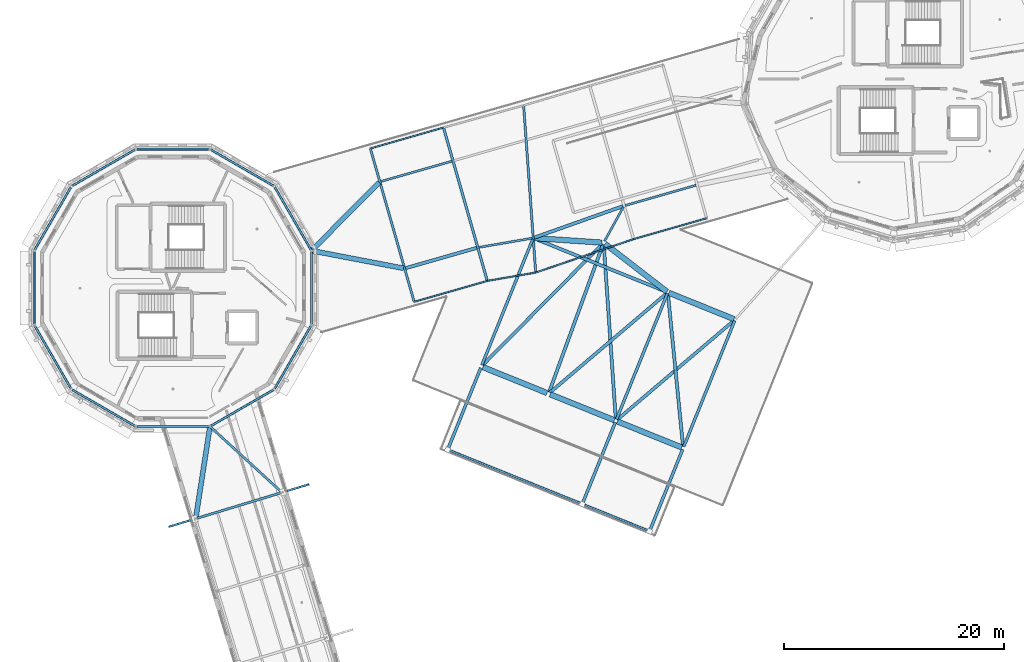
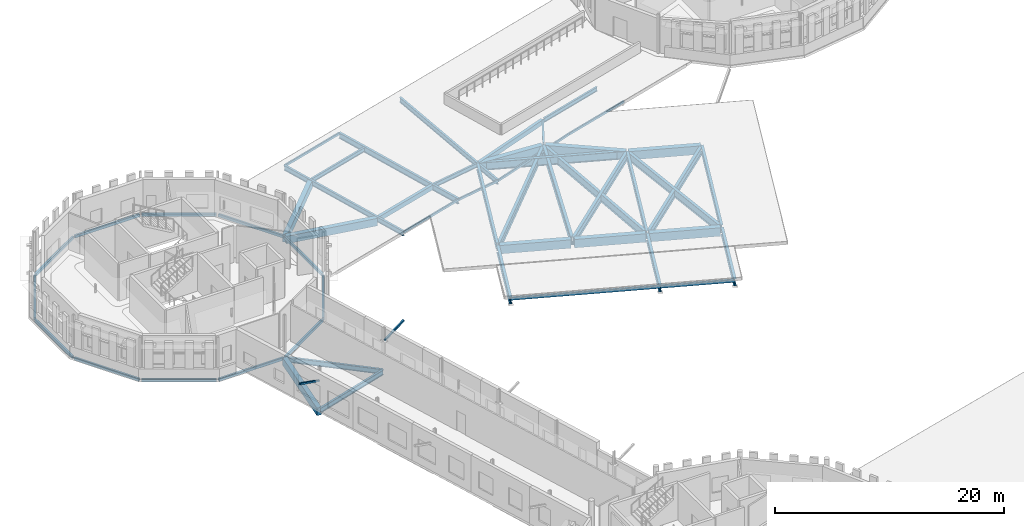
# One storey, part 26 of 90: 52 beams, 2 members.
"""IFC4 building model written with IfcOpenShell, lengths in metres."""

from ifc_helpers import new_model, si_unit, direction, frame, origin, origin_2d, place, context, subcontext, project, spatial, rectangle, hollow_rectangle, i_section, extrude, material, material_profile, profile_set, type_object, element, save


model = new_model("IFC4")

# Units and contexts
model_context = context("Model", 3, precision=1e-05, world=origin(), true_north=direction((0.0, 1.0)))
body_context = subcontext(model_context, "Body", "Model", "MODEL_VIEW")
ifc_project = project(units=[si_unit("LENGTHUNIT", "METRE"), si_unit("AREAUNIT", "SQUARE_METRE"), si_unit("VOLUMEUNIT", "CUBIC_METRE"), si_unit("PLANEANGLEUNIT", "RADIAN"), si_unit("MASSUNIT", "GRAM", prefix="KILO")], contexts=[model_context])

# Site, building, storey
site_placement = place(None, origin())
site = spatial("IfcSite", under=ifc_project, at=site_placement, CompositionType="ELEMENT")
building_placement = place(site_placement, origin())
building = spatial("IfcBuilding", under=site, at=building_placement, Name="Wrenclough Park School", CompositionType="ELEMENT")
storey_placement = place(building_placement, frame((0.0, 0.0, 8.39990234375)))
storey = spatial("IfcBuildingStorey", under=building, at=storey_placement, Name="L02", CompositionType="ELEMENT", Elevation=8.39990234375)

# Beams
ifc_material_1 = material(Name="Concrete C32/40", Category="concrete")
ifc_material_profile_1 = material_profile(ifc_material_1, rectangle(XDim=0.300048828125, YDim=0.5, at=origin_2d()), Name="RC BEAM 300x500")
ifc_profile_set_1 = profile_set([ifc_material_profile_1], Name="Concrete C32/40")
beam_type_1 = type_object("IfcBeamType", Name="STR-BM-RC300", PredefinedType="BEAM", material=ifc_profile_set_1)
beam_1_placement = place(storey_placement, frame((37.673095703125, 91.285400390625, -0.474853515625), z_axis=(0.961523947641, 0.274721127897, 0.0), x_axis=(-0.274721127897, 0.961523947641, 0.0)))
element("IfcBeam", 1, at=beam_1_placement, inside=storey, type_object=beam_type_1, Name="W34 L02 longitudinal edge beam R1", PredefinedType="BEAM", context=body_context, shape_type="SweptSolid", body=[
    extrude(rectangle(XDim=0.300048828125, YDim=0.5, at=origin_2d()), origin(), (0.0, 0.0, 1.0), 6.71484375),
])
beam_2_placement = place(storey_placement, frame((49.363525390625, 94.063720703125, -0.474853515625), z_axis=(0.942511800622, 0.334172867972, 0.0), x_axis=(-0.334172867972, 0.942511800622, 0.0)))
element("IfcBeam", 2, at=beam_2_placement, inside=storey, type_object=beam_type_1, Name="W34 L02 longitudinal edge beam R3", PredefinedType="BEAM", context=body_context, shape_type="SweptSolid", body=[
    extrude(rectangle(XDim=0.300048828125, YDim=0.5, at=origin_2d()), origin(), (0.0, 0.0, 1.0), 8.560302734375),
])
ifc_material_2 = material(Name="Concrete C40/50", Category="concrete")
ifc_material_profile_2 = material_profile(ifc_material_2, rectangle(XDim=0.449951171875, YDim=0.800048828125, at=origin_2d()), Name="RC BEAM 450x800")
ifc_profile_set_2 = profile_set([ifc_material_profile_2], Name="Concrete C40/50")
beam_type_2 = type_object("IfcBeamType", Name="STR-BM-RC450", PredefinedType="BEAM", material=ifc_profile_set_2)
beam_3_placement = place(storey_placement, frame((18.591552734375, 68.6103515625, -0.664794921875), z_axis=(0.153391886068, 0.988165436194, 0.0), x_axis=(-0.988165436194, 0.153391886068, 0.0)))
element("IfcBeam", 3, at=beam_3_placement, inside=storey, type_object=beam_type_2, Name="W23 L02 drum junction tie beam 16", PredefinedType="BEAM", context=body_context, shape_type="SweptSolid", body=[
    extrude(rectangle(XDim=0.449951171875, YDim=0.800048828125, at=origin_2d()), origin(), (0.0, 0.0, 1.0), 8.28759765625),
])
beam_4_placement = place(storey_placement, frame((35.252685546875, 99.07080078125, -0.664794921875), z_axis=(-0.704485191157, -0.709718687538, 0.0), x_axis=(0.709718687538, -0.704485191157, 0.0)))
element("IfcBeam", 4, at=beam_4_placement, inside=storey, type_object=beam_type_2, Name="W34 L02 drum junction tie beam 22", PredefinedType="BEAM", context=body_context, shape_type="SweptSolid", body=[
    extrude(rectangle(XDim=0.449951171875, YDim=0.800048828125, at=origin_2d()), origin(), (0.0, 0.0, 1.0), 8.630126953125),
])
beam_5_placement = place(storey_placement, frame((37.4775390625, 91.276611328125, -0.664794921875), z_axis=(-0.982201385114, 0.187830878932, 0.0), x_axis=(-0.187830878932, -0.982201385114, 0.0)))
element("IfcBeam", 5, at=beam_5_placement, inside=storey, type_object=beam_type_2, Name="W34 L02 drum junction tie beam 24", PredefinedType="BEAM", context=body_context, shape_type="SweptSolid", body=[
    extrude(rectangle(XDim=0.449951171875, YDim=0.800048828125, at=origin_2d()), origin(), (0.0, 0.0, 1.0), 8.427734375),
])
ifc_material_profile_3 = material_profile(ifc_material_2, rectangle(XDim=0.5, YDim=0.89990234375, at=origin_2d()), Name="RC BEAM 500x900")
ifc_profile_set_3 = profile_set([ifc_material_profile_3], Name="Concrete C40/50")
beam_type_3 = type_object("IfcBeamType", Name="STR-BM-RC500", PredefinedType="BEAM", material=ifc_profile_set_3)
beam_6_placement = place(storey_placement, frame((44.688720703125, 82.290771484375, -0.6748046875), z_axis=(0.927196015932, -0.374576491574, 0.0), x_axis=(0.374576491574, 0.927196015932, 0.0)))
element("IfcBeam", 6, at=beam_6_placement, inside=storey, type_object=beam_type_3, Name="W34 Dining Pavilion L02 frame girder 0.2", PredefinedType="BEAM", context=body_context, shape_type="SweptSolid", body=[
    extrude(rectangle(XDim=0.5, YDim=0.89990234375, at=origin_2d()), origin(), (0.0, 0.0, 1.0), 6.298095703125),
])
beam_7_placement = place(storey_placement, frame((49.369140625, 94.023193359375, -0.6748046875), z_axis=(0.997746812496, -0.067091714491, 0.0), x_axis=(0.067091714491, 0.997746812496, 0.0)))
element("IfcBeam", 7, at=beam_7_placement, inside=storey, type_object=beam_type_3, Name="W34 Dining Pavilion L02 frame girder 1.3", PredefinedType="BEAM", context=body_context, shape_type="SweptSolid", body=[
    extrude(rectangle(XDim=0.5, YDim=0.89990234375, at=origin_2d()), origin(), (0.0, 0.0, 1.0), 6.16796875),
])
beam_8_placement = place(storey_placement, frame((50.80810546875, 79.818359375, -0.6748046875), z_axis=(0.927196015932, -0.374576491574, 0.0), x_axis=(0.374576491574, 0.927196015932, 0.0)))
element("IfcBeam", 8, at=beam_8_placement, inside=storey, type_object=beam_type_3, Name="W34 Dining Pavilion L02 frame girder 2.4", PredefinedType="BEAM", context=body_context, shape_type="SweptSolid", body=[
    extrude(rectangle(XDim=0.5, YDim=0.89990234375, at=origin_2d()), origin(), (0.0, 0.0, 1.0), 6.298095703125),
])
beam_9_placement = place(storey_placement, frame((55.793212890625, 93.5068359375, -0.6748046875), z_axis=(0.790879387846, -0.611972053186, 0.0), x_axis=(0.611972053186, 0.790879387846, 0.0)))
element("IfcBeam", 9, at=beam_9_placement, inside=storey, type_object=beam_type_3, Name="W34 Dining Pavilion L02 frame girder 3.5", PredefinedType="BEAM", context=body_context, shape_type="SweptSolid", body=[
    extrude(rectangle(XDim=0.5, YDim=0.89990234375, at=origin_2d()), origin(), (0.0, 0.0, 1.0), 7.124755859375),
])
beam_10_placement = place(storey_placement, frame((56.927490234375, 77.345947265625, -0.6748046875), z_axis=(0.927196015932, -0.374576491574, 0.0), x_axis=(0.374576491574, 0.927196015932, 0.0)))
element("IfcBeam", 10, at=beam_10_placement, inside=storey, type_object=beam_type_3, Name="W34 Dining Pavilion L02 frame girder 4.6", PredefinedType="BEAM", context=body_context, shape_type="SweptSolid", body=[
    extrude(rectangle(XDim=0.5, YDim=0.89990234375, at=origin_2d()), origin(), (0.0, 0.0, 1.0), 6.298095703125),
])
beam_11_placement = place(storey_placement, frame((61.60107421875, 89.047607421875, -0.6748046875), z_axis=(0.927168445087, -0.374644730959, 0.0), x_axis=(0.374644730959, 0.927168445087, 0.0)))
element("IfcBeam", 11, at=beam_11_placement, inside=storey, type_object=beam_type_3, Name="W34 Dining Pavilion L02 frame girder 5.7", PredefinedType="BEAM", context=body_context, shape_type="SweptSolid", body=[
    extrude(rectangle(XDim=0.5, YDim=0.89990234375, at=origin_2d()), origin(), (0.0, 0.0, 1.0), 6.398681640625),
])
ifc_material_3 = material(Name="Structural steel S355", Category="steel")
ifc_material_profile_4 = material_profile(ifc_material_3, hollow_rectangle(XDim=0.14990234375, YDim=0.25, WallThickness=0.010009765625, InnerFilletRadius=0.010009765625, OuterFilletRadius=0.014892578125, at=origin_2d()), Name="RHS 250x150x10.0")
ifc_profile_set_4 = profile_set([ifc_material_profile_4], Name="Structural steel S355")
beam_type_4 = type_object("IfcBeamType", Name="STR-BM-RHS250", PredefinedType="SPANDREL", material=ifc_profile_set_4)
for number, where, z_axis, x_axis, name in (
    (12, (34.458251953125, 102.1708984375, -0.35498046875), (0.961517286871, 0.274744439523, 0.0), (-0.274744439523, 0.961517286871, 0.0), "W34 overhanging eave fascia beam L1"),
    (13, (38.44189453125, 88.22900390625, -0.35498046875), (0.961526611816, 0.274711803112, 0.0), (-0.274711803112, 0.961526611816, 0.0), "W34 overhanging eave fascia beam R1"),
):
    element("IfcBeam", number, at=place(storey_placement, frame(where, z_axis=z_axis, x_axis=x_axis)), inside=storey, type_object=beam_type_4, Name=name, PredefinedType="SPANDREL", context=body_context, shape_type="SweptSolid", body=[
        extrude(hollow_rectangle(XDim=0.14990234375, YDim=0.25, WallThickness=0.010009765625, InnerFilletRadius=0.010009765625, OuterFilletRadius=0.014892578125, at=origin_2d()), origin(), (0.0, 0.0, 1.0), 6.916015625),
    ])
beam_12_placement = place(storey_placement, frame((45.091796875, 90.12890625, -0.35498046875), z_axis=(0.985463269533, 0.169888623517, 0.0), x_axis=(-0.169888623517, 0.985463269533, 0.0)))
element("IfcBeam", 14, at=beam_12_placement, inside=storey, type_object=beam_type_4, Name="W34 overhanging eave fascia beam R2", PredefinedType="SPANDREL", context=body_context, shape_type="SweptSolid", body=[
    extrude(hollow_rectangle(XDim=0.14990234375, YDim=0.25, WallThickness=0.010009765625, InnerFilletRadius=0.010009765625, OuterFilletRadius=0.014892578125, at=origin_2d()), origin(), (0.0, 0.0, 1.0), 4.46923828125),
])
beam_13_placement = place(storey_placement, frame((49.49609375, 90.88818359375, -0.35498046875), z_axis=(0.946245791222, 0.323448454309, 0.0), x_axis=(-0.323448454309, 0.946245791222, 0.0)))
element("IfcBeam", 15, at=beam_13_placement, inside=storey, type_object=beam_type_4, Name="W34 overhanging eave fascia beam R3", PredefinedType="SPANDREL", context=body_context, shape_type="SweptSolid", body=[
    extrude(hollow_rectangle(XDim=0.14990234375, YDim=0.25, WallThickness=0.010009765625, InnerFilletRadius=0.010009765625, OuterFilletRadius=0.014892578125, at=origin_2d()), origin(), (0.0, 0.0, 1.0), 9.401123046875),
])
beam_14_placement = place(storey_placement, frame((58.391845703125, 93.928955078125, -0.35498046875), z_axis=(0.961517286871, 0.274744439523, 0.0), x_axis=(-0.274744439523, 0.961517286871, 0.0)))
element("IfcBeam", 16, at=beam_14_placement, inside=storey, type_object=beam_type_4, Name="W34 overhanging eave fascia beam R4", PredefinedType="SPANDREL", context=body_context, shape_type="SweptSolid", body=[
    extrude(hollow_rectangle(XDim=0.14990234375, YDim=0.25, WallThickness=0.010009765625, InnerFilletRadius=0.010009765625, OuterFilletRadius=0.014892578125, at=origin_2d()), origin(), (0.0, 0.0, 1.0), 6.916015625),
])
ifc_material_profile_5 = material_profile(ifc_material_3, hollow_rectangle(XDim=0.199951171875, YDim=0.300048828125, WallThickness=0.012451171875, InnerFilletRadius=0.012451171875, OuterFilletRadius=0.018798828125, at=origin_2d()), Name="RHS 300x200x12.5")
ifc_profile_set_5 = profile_set([ifc_material_profile_5], Name="Structural steel S355")
beam_type_5 = type_object("IfcBeamType", Name="STR-BM-RHS300", PredefinedType="SPANDREL", material=ifc_profile_set_5)
beam_15_placement = place(storey_placement, frame((41.495849609375, 74.791015625, -0.375), z_axis=(0.927182792675, -0.37460922168, 0.0), x_axis=(0.37460922168, 0.927182792675, 0.0)))
element("IfcBeam", 17, at=beam_15_placement, inside=storey, type_object=beam_type_5, Name="EAVE-COURTYARD overhanging eave tip fascia beam 1", PredefinedType="SPANDREL", context=body_context, shape_type="SweptSolid", body=[
    extrude(hollow_rectangle(XDim=0.199951171875, YDim=0.300048828125, WallThickness=0.012451171875, InnerFilletRadius=0.012451171875, OuterFilletRadius=0.018798828125, at=origin_2d()), origin(), (0.0, 0.0, 1.0), 13.199951171875),
])
beam_16_placement = place(storey_placement, frame((53.734619140625, 69.84619140625, -0.375), z_axis=(0.927182792675, -0.37460922168, 0.0), x_axis=(0.37460922168, 0.927182792675, 0.0)))
element("IfcBeam", 18, at=beam_16_placement, inside=storey, type_object=beam_type_5, Name="EAVE-COURTYARD overhanging eave tip fascia beam 2", PredefinedType="SPANDREL", context=body_context, shape_type="SweptSolid", body=[
    extrude(hollow_rectangle(XDim=0.199951171875, YDim=0.300048828125, WallThickness=0.012451171875, InnerFilletRadius=0.012451171875, OuterFilletRadius=0.018798828125, at=origin_2d()), origin(), (0.0, 0.0, 1.0), 6.60009765625),
])
for number, where, z_axis, x_axis, name in (
    (19, (29.057373046875, 92.960693359375, -0.414794921875), (-0.500019762861, 0.866013993391, 0.0), (-0.866013993391, -0.500019762861, 0.0), "D3 L02 outer ring spandrel beam 1"),
    (20, (25.64453125, 98.775634765625, -0.414794921875), (-0.866013993391, 0.500019762861, 0.0), (-0.500019762861, -0.866013993391, 0.0), "D3 L02 outer ring spandrel beam 2"),
):
    element("IfcBeam", number, at=place(storey_placement, frame(where, z_axis=z_axis, x_axis=x_axis)), inside=storey, type_object=beam_type_5, Name=name, PredefinedType="SPANDREL", context=body_context, shape_type="SweptSolid", body=[
        extrude(hollow_rectangle(XDim=0.199951171875, YDim=0.300048828125, WallThickness=0.012451171875, InnerFilletRadius=0.012451171875, OuterFilletRadius=0.018798828125, at=origin_2d()), origin(), (0.0, 0.0, 1.0), 6.563232421875),
    ])
beam_17_placement = place(storey_placement, frame((19.781494140625, 102.105224609375, -0.414794921875), z_axis=(-1.0, 0.0, 0.0), x_axis=(0.0, -1.0, 0.0)))
element("IfcBeam", 21, at=beam_17_placement, inside=storey, type_object=beam_type_5, Name="D3 L02 outer ring spandrel beam 3", PredefinedType="SPANDREL", context=body_context, shape_type="SweptSolid", body=[
    extrude(hollow_rectangle(XDim=0.199951171875, YDim=0.300048828125, WallThickness=0.012451171875, InnerFilletRadius=0.012451171875, OuterFilletRadius=0.018798828125, at=origin_2d()), origin(), (0.0, 0.0, 1.0), 6.56298828125),
])
for number, where, z_axis, x_axis, name in (
    (22, (13.039306640625, 102.057373046875, -0.414794921875), (-0.866013993391, -0.500019762861, 0.0), (0.500019762861, -0.866013993391, 0.0), "D3 L02 outer ring spandrel beam 4"),
    (23, (7.224365234375, 98.64453125, -0.414794921875), (-0.500019762861, -0.866013993391, 0.0), (0.866013993391, -0.500019762861, 0.0), "D3 L02 outer ring spandrel beam 5"),
):
    element("IfcBeam", number, at=place(storey_placement, frame(where, z_axis=z_axis, x_axis=x_axis)), inside=storey, type_object=beam_type_5, Name=name, PredefinedType="SPANDREL", context=body_context, shape_type="SweptSolid", body=[
        extrude(hollow_rectangle(XDim=0.199951171875, YDim=0.300048828125, WallThickness=0.012451171875, InnerFilletRadius=0.012451171875, OuterFilletRadius=0.018798828125, at=origin_2d()), origin(), (0.0, 0.0, 1.0), 6.563232421875),
    ])
beam_18_placement = place(storey_placement, frame((3.894775390625, 92.781494140625, -0.414794921875), z_axis=(0.0, -1.0, 0.0), x_axis=(1.0, 0.0, 0.0)))
element("IfcBeam", 24, at=beam_18_placement, inside=storey, type_object=beam_type_5, Name="D3 L02 outer ring spandrel beam 6", PredefinedType="SPANDREL", context=body_context, shape_type="SweptSolid", body=[
    extrude(hollow_rectangle(XDim=0.199951171875, YDim=0.300048828125, WallThickness=0.012451171875, InnerFilletRadius=0.012451171875, OuterFilletRadius=0.018798828125, at=origin_2d()), origin(), (0.0, 0.0, 1.0), 6.56298828125),
])
for number, where, z_axis, x_axis, name in (
    (25, (3.942626953125, 86.039306640625, -0.414794921875), (0.500019762861, -0.866013993391, 0.0), (0.866013993391, 0.500019762861, 0.0), "D3 L02 outer ring spandrel beam 7"),
    (26, (7.35546875, 80.224365234375, -0.414794921875), (0.866013993391, -0.500019762861, 0.0), (0.500019762861, 0.866013993391, 0.0), "D3 L02 outer ring spandrel beam 8"),
):
    element("IfcBeam", number, at=place(storey_placement, frame(where, z_axis=z_axis, x_axis=x_axis)), inside=storey, type_object=beam_type_5, Name=name, PredefinedType="SPANDREL", context=body_context, shape_type="SweptSolid", body=[
        extrude(hollow_rectangle(XDim=0.199951171875, YDim=0.300048828125, WallThickness=0.012451171875, InnerFilletRadius=0.012451171875, OuterFilletRadius=0.018798828125, at=origin_2d()), origin(), (0.0, 0.0, 1.0), 6.563232421875),
    ])
beam_19_placement = place(storey_placement, frame((13.218505859375, 76.894775390625, -0.414794921875), z_axis=(1.0, 0.0, 0.0), x_axis=(0.0, 1.0, 0.0)))
element("IfcBeam", 27, at=beam_19_placement, inside=storey, type_object=beam_type_5, Name="D3 L02 outer ring spandrel beam 9", PredefinedType="SPANDREL", context=body_context, shape_type="SweptSolid", body=[
    extrude(hollow_rectangle(XDim=0.199951171875, YDim=0.300048828125, WallThickness=0.012451171875, InnerFilletRadius=0.012451171875, OuterFilletRadius=0.018798828125, at=origin_2d()), origin(), (0.0, 0.0, 1.0), 6.56298828125),
])
for number, where, z_axis, x_axis, name in (
    (28, (19.960693359375, 76.942626953125, -0.414794921875), (0.866013993391, 0.500019762861, 0.0), (-0.500019762861, 0.866013993391, 0.0), "D3 L02 outer ring spandrel beam 10"),
    (29, (25.775634765625, 80.35546875, -0.414794921875), (0.500019762861, 0.866013993391, 0.0), (-0.866013993391, 0.500019762861, 0.0), "D3 L02 outer ring spandrel beam 11"),
):
    element("IfcBeam", number, at=place(storey_placement, frame(where, z_axis=z_axis, x_axis=x_axis)), inside=storey, type_object=beam_type_5, Name=name, PredefinedType="SPANDREL", context=body_context, shape_type="SweptSolid", body=[
        extrude(hollow_rectangle(XDim=0.199951171875, YDim=0.300048828125, WallThickness=0.012451171875, InnerFilletRadius=0.012451171875, OuterFilletRadius=0.018798828125, at=origin_2d()), origin(), (0.0, 0.0, 1.0), 6.563232421875),
    ])
beam_20_placement = place(storey_placement, frame((29.105224609375, 86.218505859375, -0.414794921875), z_axis=(0.0, 1.0, 0.0), x_axis=(-1.0, 0.0, 0.0)))
element("IfcBeam", 30, at=beam_20_placement, inside=storey, type_object=beam_type_5, Name="D3 L02 outer ring spandrel beam 12", PredefinedType="SPANDREL", context=body_context, shape_type="SweptSolid", body=[
    extrude(hollow_rectangle(XDim=0.199951171875, YDim=0.300048828125, WallThickness=0.012451171875, InnerFilletRadius=0.012451171875, OuterFilletRadius=0.018798828125, at=origin_2d()), origin(), (0.0, 0.0, 1.0), 6.56298828125),
])
ifc_material_profile_6 = material_profile(ifc_material_3, i_section(OverallWidth=0.18994140625, OverallDepth=0.453369140625, WebThickness=0.008544921875, FlangeThickness=0.0126953125, FilletRadius=0.01025390625, at=origin_2d()), Name="UKB 457x191x67")
ifc_profile_set_6 = profile_set([ifc_material_profile_6], Name="Structural steel S355")
beam_type_6 = type_object("IfcBeamType", Name="STR-BM-UKB457A", PredefinedType="BEAM", material=ifc_profile_set_6)
beam_21_placement = place(storey_placement, frame((35.42041015625, 99.169921875, -0.45166015625), z_axis=(0.961523947641, 0.274721127897, 0.0), x_axis=(-0.274721127897, 0.961523947641, 0.0)))
element("IfcBeam", 31, at=beam_21_placement, inside=storey, type_object=beam_type_6, Name="W34 L02 longitudinal edge beam L1", PredefinedType="BEAM", context=body_context, shape_type="SweptSolid", body=[
    extrude(i_section(OverallWidth=0.18994140625, OverallDepth=0.453369140625, WebThickness=0.008544921875, FlangeThickness=0.0126953125, FilletRadius=0.01025390625, at=origin_2d()), origin(), (0.0, 0.0, 1.0), 6.71484375),
])
beam_22_placement = place(storey_placement, frame((44.325439453125, 93.1748046875, -0.45166015625), z_axis=(0.985360454078, 0.170483945109, 0.0), x_axis=(-0.170483945109, 0.985360454078, 0.0)))
element("IfcBeam", 32, at=beam_22_placement, inside=storey, type_object=beam_type_6, Name="W34 L02 longitudinal edge beam R2", PredefinedType="BEAM", context=body_context, shape_type="SweptSolid", body=[
    extrude(i_section(OverallWidth=0.18994140625, OverallDepth=0.453369140625, WebThickness=0.008544921875, FlangeThickness=0.0126953125, FilletRadius=0.01025390625, at=origin_2d()), origin(), (0.0, 0.0, 1.0), 4.916259765625),
])
beam_23_placement = place(storey_placement, frame((57.623046875, 96.9853515625, -0.45166015625), z_axis=(0.961523947641, 0.274721127897, 0.0), x_axis=(-0.274721127897, 0.961523947641, 0.0)))
element("IfcBeam", 33, at=beam_23_placement, inside=storey, type_object=beam_type_6, Name="W34 L02 longitudinal edge beam R4", PredefinedType="BEAM", context=body_context, shape_type="SweptSolid", body=[
    extrude(i_section(OverallWidth=0.18994140625, OverallDepth=0.453369140625, WebThickness=0.008544921875, FlangeThickness=0.0126953125, FilletRadius=0.01025390625, at=origin_2d()), origin(), (0.0, 0.0, 1.0), 6.71484375),
])
beam_24_placement = place(storey_placement, frame((55.746826171875, 93.7314453125, -0.45166015625), z_axis=(0.482980094742, 0.875631331145, 0.0), x_axis=(-0.875631331145, 0.482980094742, 0.0)))
element("IfcBeam", 34, at=beam_24_placement, inside=storey, type_object=beam_type_6, Name="Primary frame continuity tie beam 0186", PredefinedType="BEAM", context=body_context, shape_type="SweptSolid", body=[
    extrude(i_section(OverallWidth=0.18994140625, OverallDepth=0.453369140625, WebThickness=0.008544921875, FlangeThickness=0.0126953125, FilletRadius=0.01025390625, at=origin_2d()), origin(), (0.0, 0.0, 1.0), 3.583984375),
])
ifc_material_profile_7 = material_profile(ifc_material_3, i_section(OverallWidth=0.209228515625, OverallDepth=0.533203125, WebThickness=0.010009765625, FlangeThickness=0.015625, FilletRadius=0.0126953125, at=origin_2d()), Name="UKB 533x210x92")
ifc_profile_set_7 = profile_set([ifc_material_profile_7], Name="Structural steel S355")
beam_type_7 = type_object("IfcBeamType", Name="STR-BM-UKB533A", PredefinedType="BEAM", material=ifc_profile_set_7)
beam_25_placement = place(storey_placement, frame((18.672607421875, 68.540283203125, -0.50634765625), z_axis=(0.957026201411, 0.290001465191, 0.0), x_axis=(-0.290001465191, 0.957026201411, 0.0)))
element("IfcBeam", 35, at=beam_25_placement, inside=storey, type_object=beam_type_7, Name="W23 L02 transverse floor beam 5", PredefinedType="BEAM", context=body_context, shape_type="SweptSolid", body=[
    extrude(i_section(OverallWidth=0.209228515625, OverallDepth=0.533203125, WebThickness=0.010009765625, FlangeThickness=0.015625, FilletRadius=0.0126953125, at=origin_2d()), origin(), (0.0, 0.0, 1.0), 7.99853515625),
])
beam_26_placement = place(storey_placement, frame((38.44189453125, 88.22900390625, -0.496337890625), z_axis=(-0.274736694562, 0.961519499886, 0.0), x_axis=(-0.961519499886, -0.274736694562, 0.0)))
element("IfcBeam", 36, at=beam_26_placement, inside=storey, type_object=beam_type_7, Name="W34 continuous overhanging eave roof girder 1.1", PredefinedType="BEAM", context=body_context, shape_type="SweptSolid", body=[
    extrude(i_section(OverallWidth=0.209228515625, OverallDepth=0.533203125, WebThickness=0.010009765625, FlangeThickness=0.015625, FilletRadius=0.0126953125, at=origin_2d()), origin(), (0.0, 0.0, 1.0), 14.499755859375),
])
beam_27_placement = place(storey_placement, frame((49.49609375, 90.88818359375, -0.496337890625), z_axis=(-0.072189936335, 0.997390902852, 0.0), x_axis=(-0.997390902852, -0.072189936335, 0.0)))
element("IfcBeam", 37, at=beam_27_placement, inside=storey, type_object=beam_type_7, Name="W34 continuous overhanging eave roof girder 1.3", PredefinedType="BEAM", context=body_context, shape_type="SweptSolid", body=[
    extrude(i_section(OverallWidth=0.209228515625, OverallDepth=0.533203125, WebThickness=0.010009765625, FlangeThickness=0.015625, FilletRadius=0.0126953125, at=origin_2d()), origin(), (0.0, 0.0, 1.0), 15.235595703125),
])
beam_28_placement = place(storey_placement, frame((26.349609375, 70.95703125, -0.531494140625), z_axis=(-0.73687410231, 0.676029997371, 0.0), x_axis=(-0.676029997371, -0.73687410231, 0.0)))
element("IfcBeam", 38, at=beam_28_placement, inside=storey, type_object=beam_type_7, Name="W23 L02 drum junction tie beam 19", PredefinedType="BEAM", context=body_context, shape_type="SweptSolid", body=[
    extrude(i_section(OverallWidth=0.209228515625, OverallDepth=0.533203125, WebThickness=0.010009765625, FlangeThickness=0.015625, FilletRadius=0.0126953125, at=origin_2d()), origin(), (0.0, 0.0, 1.0), 8.687255859375),
])
ifc_material_profile_8 = material_profile(ifc_material_3, i_section(OverallWidth=0.22900390625, OverallDepth=0.6123046875, WebThickness=0.011962890625, FlangeThickness=0.01953125, FilletRadius=0.0126953125, at=origin_2d()), Name="UKB 610x229x125")
ifc_profile_set_8 = profile_set([ifc_material_profile_8], Name="Structural steel S355")
beam_type_8 = type_object("IfcBeamType", Name="STR-BM-UKB610", PredefinedType="BEAM", material=ifc_profile_set_8)
beam_29_placement = place(storey_placement, frame((45.091796875, 90.12890625, -0.535888671875), z_axis=(-0.274732246771, 0.96152077075, 0.0), x_axis=(-0.96152077075, -0.274732246771, 0.0)))
element("IfcBeam", 39, at=beam_29_placement, inside=storey, type_object=beam_type_8, Name="W34 continuous overhanging eave roof girder 1.2", PredefinedType="BEAM", context=body_context, shape_type="SweptSolid", body=[
    extrude(i_section(OverallWidth=0.22900390625, OverallDepth=0.6123046875, WebThickness=0.011962890625, FlangeThickness=0.01953125, FilletRadius=0.0126953125, at=origin_2d()), origin(), (0.0, 0.0, 1.0), 14.5),
])
ifc_material_profile_9 = material_profile(ifc_material_3, i_section(OverallWidth=0.253662109375, OverallDepth=0.68359375, WebThickness=0.012451171875, FlangeThickness=0.01904296875, FilletRadius=0.01513671875, at=origin_2d()), Name="UKB 686x254x140")
ifc_profile_set_9 = profile_set([ifc_material_profile_9], Name="Structural steel S355")
beam_type_9 = type_object("IfcBeamType", Name="STR-BM-UKB686", PredefinedType="BEAM", material=ifc_profile_set_9)
for number, where, z_axis, x_axis, name in (
    (40, (49.231201171875, 93.936767578125, -0.566650390625), (-0.374613087426, -0.92718123079, 0.0), (0.92718123079, -0.374613087426, 0.0), "EAVE-COURTYARD interior back-span girder 1"),
    (41, (61.469970703125, 88.991943359375, -0.566650390625), (-0.374596091154, -0.927188097687, 0.0), (0.927188097687, -0.374596091154, 0.0), "EAVE-COURTYARD interior back-span girder 2"),
):
    element("IfcBeam", number, at=place(storey_placement, frame(where, z_axis=z_axis, x_axis=x_axis)), inside=storey, type_object=beam_type_9, Name=name, PredefinedType="BEAM", context=body_context, shape_type="SweptSolid", body=[
        extrude(i_section(OverallWidth=0.253662109375, OverallDepth=0.68359375, WebThickness=0.012451171875, FlangeThickness=0.01904296875, FilletRadius=0.01513671875, at=origin_2d()), origin(), (0.0, 0.0, 1.0), 12.3486328125),
    ])
beam_30_placement = place(storey_placement, frame((67.58935546875, 86.51953125, -0.566650390625), z_axis=(-0.374602958062, -0.927185323337, 0.0), x_axis=(0.927185323337, -0.374602958062, 0.0)))
element("IfcBeam", 42, at=beam_30_placement, inside=storey, type_object=beam_type_9, Name="EAVE-COURTYARD interior back-span girder 3", PredefinedType="BEAM", context=body_context, shape_type="SweptSolid", body=[
    extrude(i_section(OverallWidth=0.253662109375, OverallDepth=0.68359375, WebThickness=0.012451171875, FlangeThickness=0.01904296875, FilletRadius=0.01513671875, at=origin_2d()), origin(), (0.0, 0.0, 1.0), 12.348388671875),
])
ifc_material_profile_10 = material_profile(ifc_material_3, i_section(OverallWidth=0.2666015625, OverallDepth=0.76220703125, WebThickness=0.014404296875, FlangeThickness=0.021484375, FilletRadius=0.0166015625, at=origin_2d()), Name="UKB 762x267x173")
ifc_profile_set_10 = profile_set([ifc_material_profile_10], Name="Structural steel S355")
beam_type_10 = type_object("IfcBeamType", Name="STR-BM-UKB762", PredefinedType="BEAM", material=ifc_profile_set_10)
for number, where, z_axis, x_axis, name in (
    (43, (44.495849609375, 82.21630859375, -0.60595703125), (-0.374605187845, -0.927184422453, 0.0), (0.927184422453, -0.374605187845, 0.0), "EAVE-COURTYARD 7.80 m overhanging eave girder 1"),
    (44, (56.734619140625, 77.271484375, -0.60595703125), (-0.374605187845, -0.927184422453, 0.0), (0.927184422453, -0.374605187845, 0.0), "EAVE-COURTYARD 7.80 m overhanging eave girder 2"),
    (45, (62.85400390625, 74.799072265625, -0.60595703125), (-0.374605187845, -0.927184422453, 0.0), (0.927184422453, -0.374605187845, 0.0), "EAVE-COURTYARD 7.80 m overhanging eave girder 3"),
):
    element("IfcBeam", number, at=place(storey_placement, frame(where, z_axis=z_axis, x_axis=x_axis)), inside=storey, type_object=beam_type_10, Name=name, PredefinedType="BEAM", context=body_context, shape_type="SweptSolid", body=[
        extrude(i_section(OverallWidth=0.2666015625, OverallDepth=0.76220703125, WebThickness=0.014404296875, FlangeThickness=0.021484375, FilletRadius=0.0166015625, at=origin_2d()), origin(), (0.0, 0.0, 1.0), 8.008544921875),
    ])
ifc_material_profile_11 = material_profile(ifc_material_3, i_section(OverallWidth=0.29248046875, OverallDepth=0.8408203125, WebThickness=0.0146484375, FlangeThickness=0.021728515625, FilletRadius=0.017822265625, at=origin_2d()), Name="UKB 838x292x194")
ifc_profile_set_11 = profile_set([ifc_material_profile_11], Name="Structural steel S355")
beam_type_11 = type_object("IfcBeamType", Name="STR-BM-UKB838", PredefinedType="BEAM", material=ifc_profile_set_11)
beam_31_placement = place(storey_placement, frame((44.65478515625, 82.45458984375, -0.645263671875), z_axis=(0.703092384897, 0.711098515186, 0.0), x_axis=(-0.711098515186, 0.703092384897, 0.0)))
element("IfcBeam", 46, at=beam_31_placement, inside=storey, type_object=beam_type_11, Name="W34 Dining Pavilion L02 frame girder 0.3", PredefinedType="BEAM", context=body_context, shape_type="SweptSolid", body=[
    extrude(i_section(OverallWidth=0.29248046875, OverallDepth=0.8408203125, WebThickness=0.0146484375, FlangeThickness=0.021728515625, FilletRadius=0.017822265625, at=origin_2d()), origin(), (0.0, 0.0, 1.0), 15.521484375),
])
beam_32_placement = place(storey_placement, frame((49.362060546875, 93.9921875, -0.645263671875), z_axis=(0.927184889609, -0.374604031586, 0.0), x_axis=(0.374604031586, 0.927184889609, 0.0)))
element("IfcBeam", 47, at=beam_32_placement, inside=storey, type_object=beam_type_11, Name="W34 Dining Pavilion L02 frame girder 1.5", PredefinedType="BEAM", context=body_context, shape_type="SweptSolid", body=[
    extrude(i_section(OverallWidth=0.29248046875, OverallDepth=0.8408203125, WebThickness=0.0146484375, FlangeThickness=0.021728515625, FilletRadius=0.017822265625, at=origin_2d()), origin(), (0.0, 0.0, 1.0), 12.998779296875),
])
beam_33_placement = place(storey_placement, frame((50.719970703125, 80.016845703125, -0.645263671875), z_axis=(0.342658164123, 0.939460154855, 0.0), x_axis=(-0.939460154855, 0.342658164123, 0.0)))
element("IfcBeam", 48, at=beam_33_placement, inside=storey, type_object=beam_type_11, Name="W34 Dining Pavilion L02 frame girder 2.3", PredefinedType="BEAM", context=body_context, shape_type="SweptSolid", body=[
    extrude(i_section(OverallWidth=0.29248046875, OverallDepth=0.8408203125, WebThickness=0.0146484375, FlangeThickness=0.021728515625, FilletRadius=0.017822265625, at=origin_2d()), origin(), (0.0, 0.0, 1.0), 14.306884765625),
])
beam_34_placement = place(storey_placement, frame((50.783203125, 79.97265625, -0.645263671875), z_axis=(0.7620518286, 0.647516031097, 0.0), x_axis=(-0.647516031097, 0.7620518286, 0.0)))
element("IfcBeam", 49, at=beam_34_placement, inside=storey, type_object=beam_type_11, Name="W34 Dining Pavilion L02 frame girder 2.5", PredefinedType="BEAM", context=body_context, shape_type="SweptSolid", body=[
    extrude(i_section(OverallWidth=0.29248046875, OverallDepth=0.8408203125, WebThickness=0.0146484375, FlangeThickness=0.021728515625, FilletRadius=0.017822265625, at=origin_2d()), origin(), (0.0, 0.0, 1.0), 13.972412109375),
])
beam_35_placement = place(storey_placement, frame((55.684326171875, 93.448486328125, -0.645263671875), z_axis=(0.068586477691, -0.997645174938, 0.0), x_axis=(0.997645174938, 0.068586477691, 0.0)))
element("IfcBeam", 50, at=beam_35_placement, inside=storey, type_object=beam_type_11, Name="W34 Dining Pavilion L02 frame girder 3.4", PredefinedType="BEAM", context=body_context, shape_type="SweptSolid", body=[
    extrude(i_section(OverallWidth=0.29248046875, OverallDepth=0.8408203125, WebThickness=0.0146484375, FlangeThickness=0.021728515625, FilletRadius=0.017822265625, at=origin_2d()), origin(), (0.0, 0.0, 1.0), 15.932861328125),
])
beam_36_placement = place(storey_placement, frame((56.902587890625, 77.500244140625, -0.645263671875), z_axis=(0.7620518286, 0.647516031097, 0.0), x_axis=(-0.647516031097, 0.7620518286, 0.0)))
element("IfcBeam", 51, at=beam_36_placement, inside=storey, type_object=beam_type_11, Name="W34 Dining Pavilion L02 frame girder 4.7", PredefinedType="BEAM", context=body_context, shape_type="SweptSolid", body=[
    extrude(i_section(OverallWidth=0.29248046875, OverallDepth=0.8408203125, WebThickness=0.0146484375, FlangeThickness=0.021728515625, FilletRadius=0.017822265625, at=origin_2d()), origin(), (0.0, 0.0, 1.0), 13.972412109375),
])
beam_37_placement = place(storey_placement, frame((61.517578125, 88.985107421875, -0.645263671875), z_axis=(0.098372243285, -0.995149688113, 0.0), x_axis=(0.995149688113, 0.098372243285, 0.0)))
element("IfcBeam", 52, at=beam_37_placement, inside=storey, type_object=beam_type_11, Name="W34 Dining Pavilion L02 frame girder 5.6", PredefinedType="BEAM", context=body_context, shape_type="SweptSolid", body=[
    extrude(i_section(OverallWidth=0.29248046875, OverallDepth=0.8408203125, WebThickness=0.0146484375, FlangeThickness=0.021728515625, FilletRadius=0.017822265625, at=origin_2d()), origin(), (0.0, 0.0, 1.0), 13.97265625),
])

# Members
ifc_material_profile_12 = material_profile(ifc_material_3, hollow_rectangle(XDim=0.179931640625, YDim=0.179931640625, WallThickness=0.010009765625, InnerFilletRadius=0.010009765625, OuterFilletRadius=0.014892578125, at=origin_2d()), Name="SHS 180x180x10.0")
ifc_profile_set_12 = profile_set([ifc_material_profile_12], Name="Structural steel S355")
member_type = type_object("IfcMemberType", Name="STR-MEM-STRUT2", PredefinedType="STRUT", material=ifc_profile_set_12)
for number, where, z_axis, x_axis, name in (
    (53, (18.488525390625, 68.484375, 2.75), (-0.898685603645, -0.272300712114, 0.343826275878), (0.289979832763, -0.957032756279, 0.0), "W23 overhanging eave knee-brace strut 5"),
    (54, (26.511474609375, 70.91552734375, 2.75), (0.898685603645, 0.272300712114, 0.343826275878), (-0.289979832763, 0.957032756279, 0.0), "W23 overhanging eave knee-brace strut 6"),
):
    element("IfcMember", number, at=place(storey_placement, frame(where, z_axis=z_axis, x_axis=x_axis)), inside=storey, type_object=member_type, Name=name, PredefinedType="STRUT", context=body_context, shape_type="SweptSolid", body=[
        extrude(hollow_rectangle(XDim=0.179931640625, YDim=0.179931640625, WallThickness=0.010009765625, InnerFilletRadius=0.010009765625, OuterFilletRadius=0.014892578125, at=origin_2d()), origin(), (0.0, 0.0, 1.0), 2.617919921875),
    ])

save(model, "model.ifc")
